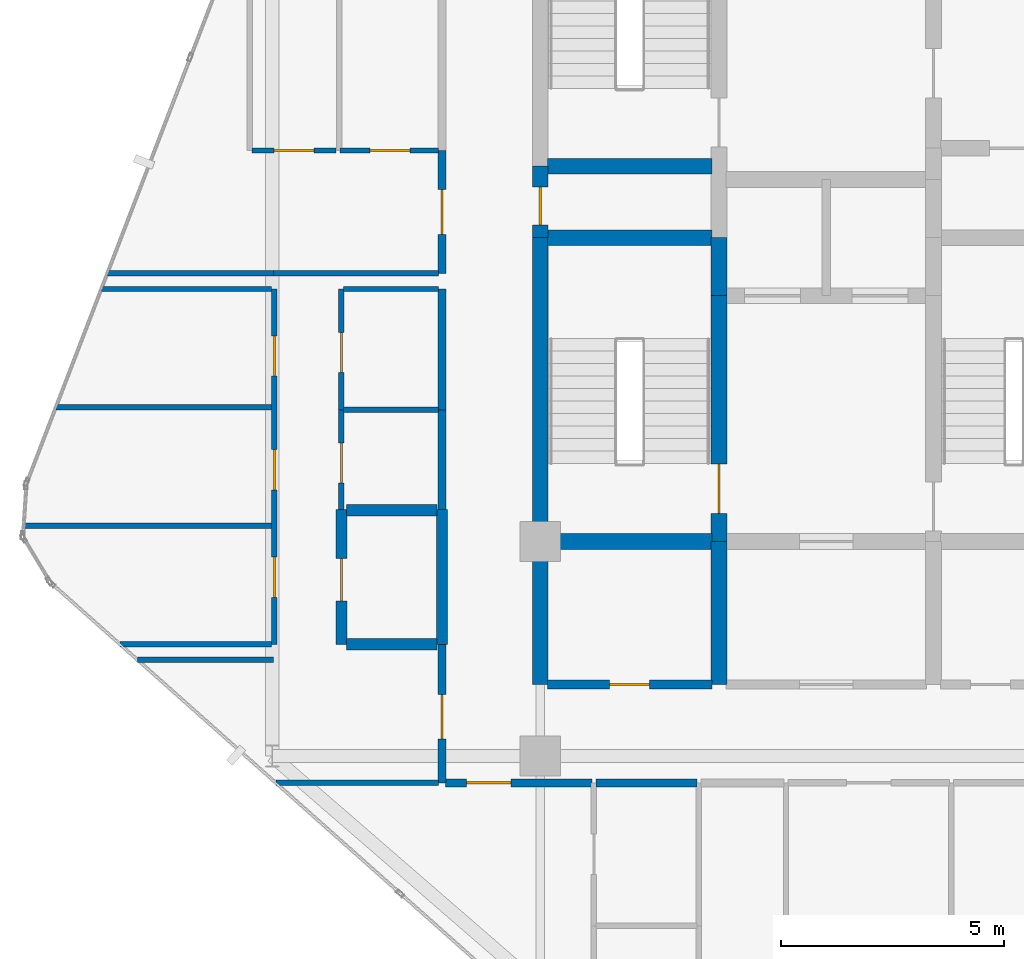
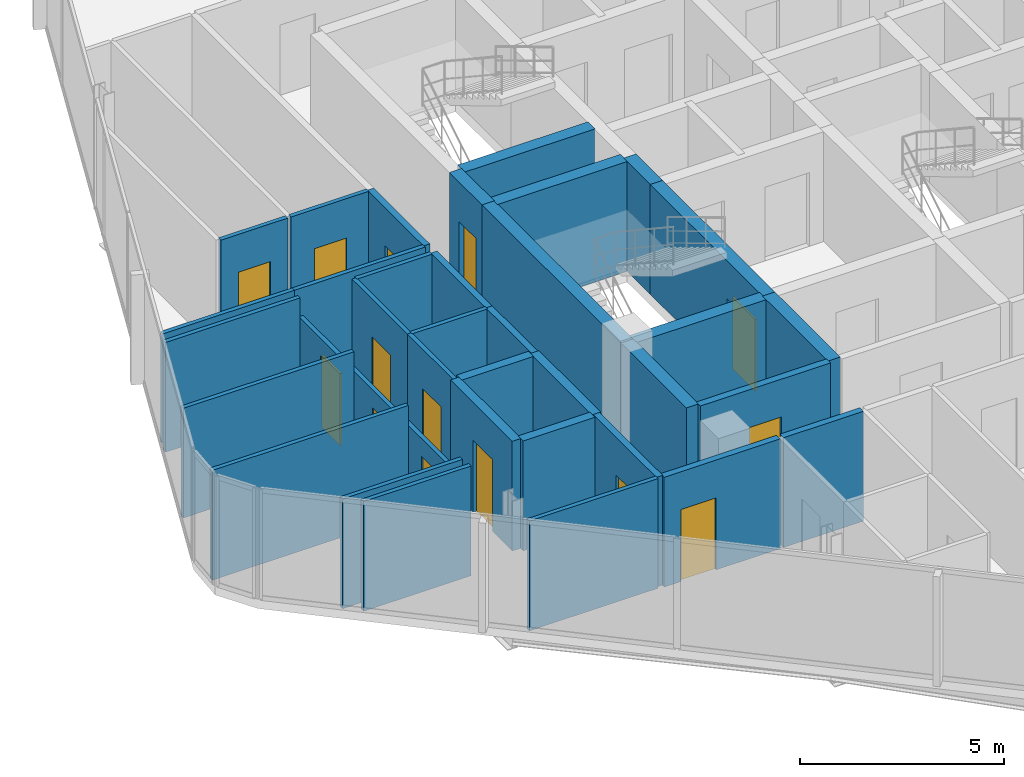
# One storey, part 25 of 31: 35 walls, 14 doors, 14 openings.
"""IFC4 building model written with IfcOpenShell, lengths in metres."""

from ifc_helpers import new_model, si_unit, direction, frame, frame_2d, origin, place, context, subcontext, project, spatial, rectangle, extrude, material, layer, layer_set, type_object, element, fill, save


model = new_model("IFC4")

# Units and contexts
model_context = context("Model", 3, precision=1e-05, world=origin(), true_north=direction((0.0, 1.0)))
body_context = subcontext(model_context, "Body", "Model", "MODEL_VIEW")
ifc_project = project(units=[si_unit("LENGTHUNIT", "METRE"), si_unit("AREAUNIT", "SQUARE_METRE"), si_unit("VOLUMEUNIT", "CUBIC_METRE"), si_unit("PLANEANGLEUNIT", "RADIAN"), si_unit("MASSUNIT", "GRAM", prefix="KILO")], contexts=[model_context])

# Site, building, storey
site_placement = place(None, origin())
site = spatial("IfcSite", under=ifc_project, at=site_placement, CompositionType="ELEMENT")
building_placement = place(site_placement, origin())
building = spatial("IfcBuilding", under=site, at=building_placement, Name="Keshet Zoharim Tower", CompositionType="ELEMENT")
storey_placement = place(building_placement, frame((0.0, 0.0, 155.699951171875)))
storey = spatial("IfcBuildingStorey", under=building, at=storey_placement, Name="L38", CompositionType="ELEMENT", Elevation=155.699951171875)

# Walls
ifc_material_1 = material(Name="Concrete C60/75", Category="concrete")
ifc_layer_1 = layer(ifc_material_1, 0.35009765625)
ifc_layer_set_1 = layer_set([ifc_layer_1], Name="Concrete C60/75")
wall_type_1 = type_object("IfcWallType", Name="WL-CORE-350", PredefinedType="SHEAR", material=ifc_layer_set_1)
wall_1_placement = place(storey_placement, frame((15.0, 19.5, 0.0), z_axis=(0.0, 0.0, 1.0), x_axis=(0.0, 1.0, 0.0)))
element("IfcWall", 1, at=wall_1_placement, inside=storey, type_object=wall_type_1, Name="L38 Core Shear Wall 013", PredefinedType="SHEAR", context=body_context, shape_type="SweptSolid", body=[
    extrude(rectangle(XDim=3.199951171875, YDim=0.35009765625, at=frame_2d((1.60009765625, 0.0))), origin(), (0.0, 0.0, 1.0), 3.280029296875),
])
wall_2_placement = place(storey_placement, frame((15.0, 22.699951171875, 0.0), z_axis=(0.0, 0.0, 1.0), x_axis=(0.0, 1.0, 0.0)))
element("IfcWall", 2, at=wall_2_placement, inside=storey, type_object=wall_type_1, Name="L38 Core Shear Wall 014", PredefinedType="SHEAR", context=body_context, shape_type="SweptSolid", body=[
    extrude(rectangle(XDim=6.800048828125, YDim=0.35009765625, at=frame_2d((3.39990234375, 0.0))), origin(), (0.0, 0.0, 1.0), 3.280029296875),
])

# Wall, opening, door
wall_3_placement = place(storey_placement, frame((15.0, 29.5, 0.0), z_axis=(0.0, 0.0, 1.0), x_axis=(0.0, 1.0, 0.0)))
wall_3 = element("IfcWall", 3, at=wall_3_placement, inside=storey, type_object=wall_type_1, Name="L38 Core Shear Wall 015", PredefinedType="SHEAR", context=body_context, shape_type="SweptSolid", body=[
    extrude(rectangle(XDim=1.60009765625, YDim=0.35009765625, at=frame_2d((0.800048828125, 0.0))), origin(), (0.0, 0.0, 1.0), 3.280029296875),
])
opening_1_placement = place(wall_3_placement, frame((0.287109375, 0.0, 0.0)))
opening_1 = element("IfcOpeningElement", 4, at=opening_1_placement, cuts=wall_3, Name="Opening D-RS85", PredefinedType="OPENING", context=body_context, shape_type="SweptSolid", body=[
    extrude(rectangle(XDim=0.85009765625, YDim=2.10009765625, at=frame_2d((0.425048828125, 1.050048828125))), frame((0.0, 0.18505859375, 0.0), z_axis=(0.0, -1.0, 0.0), x_axis=(1.0, 0.0, 0.0)), (0.0, 0.0, 1.0), 0.3701171875),
])
ifc_material_2 = material(Name="Hardwood Timber", Category="wood")
door_type_1 = type_object("IfcDoorType", Name="DR-RIS-085", OperationType="NOTDEFINED", PredefinedType="DOOR", material=ifc_material_2)
door_1_placement = place(opening_1_placement, origin())
door_1 = element("IfcDoor", 5, at=door_1_placement, inside=storey, type_object=door_type_1, Name="L38 Electrical Riser Access Cupboard Door", OperationType="SINGLE_SWING_RIGHT", OverallHeight=2.10009765625, OverallWidth=0.85009765625, PredefinedType="DOOR", context=body_context, shape_type="SweptSolid", body=[
    extrude(rectangle(XDim=0.85009765625, YDim=2.10009765625, at=frame_2d((0.425048828125, 1.050048828125))), frame((0.0, 0.02490234375, 0.0), z_axis=(0.0, -1.0, 0.0), x_axis=(1.0, 0.0, 0.0)), (0.0, 0.0, 1.0), 0.050048828125),
])
fill(opening_1, door_1)

# Wall
wall_4_placement = place(storey_placement, frame((19.0, 19.5, 0.0), z_axis=(0.0, 0.0, 1.0), x_axis=(0.0, 1.0, 0.0)))
element("IfcWall", 6, at=wall_4_placement, inside=storey, type_object=wall_type_1, Name="L38 Core Shear Wall 023", PredefinedType="SHEAR", context=body_context, shape_type="SweptSolid", body=[
    extrude(rectangle(XDim=3.199951171875, YDim=0.35009765625, at=frame_2d((1.60009765625, 0.0))), origin(), (0.0, 0.0, 1.0), 3.280029296875),
])

# Wall, opening, door
wall_5_placement = place(storey_placement, frame((19.0, 22.699951171875, 0.0), z_axis=(0.0, 0.0, 1.0), x_axis=(0.0, 1.0, 0.0)))
wall_5 = element("IfcWall", 7, at=wall_5_placement, inside=storey, type_object=wall_type_1, Name="L38 Core Shear Wall 024", PredefinedType="SHEAR", context=body_context, shape_type="SweptSolid", body=[
    extrude(rectangle(XDim=5.5, YDim=0.35009765625, at=frame_2d((2.75, 0.0))), origin(), (0.0, 0.0, 1.0), 3.280029296875),
])
opening_2_placement = place(wall_5_placement, frame((0.631103515625, 0.0, 0.0)))
opening_2 = element("IfcOpeningElement", 8, at=opening_2_placement, cuts=wall_5, Name="Opening D-F611", PredefinedType="OPENING", context=body_context, shape_type="SweptSolid", body=[
    extrude(rectangle(XDim=1.10009765625, YDim=2.14990234375, at=frame_2d((0.550048828125, 1.074951171875))), frame((0.0, 0.18505859375, 0.0), z_axis=(0.0, -1.0, 0.0), x_axis=(1.0, 0.0, 0.0)), (0.0, 0.0, 1.0), 0.3701171875),
])
door_type_2 = type_object("IfcDoorType", Name="DR-FD60-110", OperationType="NOTDEFINED", PredefinedType="DOOR", material=ifc_material_2)
door_2_placement = place(opening_2_placement, origin())
door_2 = element("IfcDoor", 9, at=door_2_placement, inside=storey, type_object=door_type_2, Name="L38 Exit Stair ST-01 Fire Door", OperationType="SINGLE_SWING_RIGHT", OverallHeight=2.14990234375, OverallWidth=1.10009765625, PredefinedType="DOOR", context=body_context, shape_type="SweptSolid", body=[
    extrude(rectangle(XDim=1.10009765625, YDim=2.14990234375, at=frame_2d((0.550048828125, 1.074951171875))), frame((0.0, 0.02490234375, 0.0), z_axis=(0.0, -1.0, 0.0), x_axis=(1.0, 0.0, 0.0)), (0.0, 0.0, 1.0), 0.050048828125),
])
fill(opening_2, door_2)

# Walls
wall_6_placement = place(storey_placement, frame((19.0, 28.199951171875, 0.0), z_axis=(0.0, 0.0, 1.0), x_axis=(0.0, 1.0, 0.0)))
element("IfcWall", 10, at=wall_6_placement, inside=storey, type_object=wall_type_1, Name="L38 Core Shear Wall 025", PredefinedType="SHEAR", context=body_context, shape_type="SweptSolid", body=[
    extrude(rectangle(XDim=1.300048828125, YDim=0.35009765625, at=frame_2d((0.64990234375, 0.0))), origin(), (0.0, 0.0, 1.0), 3.280029296875),
])
for number, where, z_axis, x_axis, name in (
    (11, (15.159912109375, 22.699951171875, 0.0), (0.0, 0.0, 1.0), (1.0, 0.0, 0.0), "L38 Core Shear Wall 144"),
    (12, (15.159912109375, 29.5, 0.0), (0.0, 0.0, 1.0), (1.0, 0.0, 0.0), "L38 Core Shear Wall 164"),
    (13, (15.159912109375, 31.10009765625, 0.0), (0.0, 0.0, 1.0), (1.0, 0.0, 0.0), "L38 Core Shear Wall 170"),
):
    element("IfcWall", number, at=place(storey_placement, frame(where, z_axis=z_axis, x_axis=x_axis)), inside=storey, type_object=wall_type_1, Name=name, PredefinedType="SHEAR", context=body_context, shape_type="SweptSolid", body=[
        extrude(rectangle(XDim=3.68017578125, YDim=0.35009765625, at=frame_2d((1.840087890625, 0.0))), origin(), (0.0, 0.0, 1.0), 3.280029296875),
    ])

# Wall, opening, door
ifc_material_3 = material(Name="Gypsum Plasterboard", Category="gypsum")
ifc_layer_2 = layer(ifc_material_3, 0.179931640625)
ifc_layer_set_2 = layer_set([ifc_layer_2], Name="Gypsum Plasterboard")
wall_type_2 = type_object("IfcWallType", Name="WL-CORR-180", PredefinedType="STANDARD", material=ifc_layer_set_2)
wall_7_placement = place(storey_placement, frame((12.800048828125, 17.300048828125, 0.0), z_axis=(0.0, 0.0, 1.0), x_axis=(0.0, 1.0, 0.0)))
wall_7 = element("IfcWall", 14, at=wall_7_placement, inside=storey, type_object=wall_type_2, Name="L38 Interior Wall 007", PredefinedType="STANDARD", context=body_context, shape_type="SweptSolid", body=[
    extrude(rectangle(XDim=3.099853515625, YDim=0.179931640625, at=frame_2d((1.5498046875, 0.0))), origin(), (0.0, 0.0, 1.0), 3.280029296875),
])
opening_3_placement = place(wall_7_placement, frame((0.97802734375, 0.0, 0.0)))
opening_3 = element("IfcOpeningElement", 15, at=opening_3_placement, cuts=wall_7, Name="Opening D-F310", PredefinedType="OPENING", context=body_context, shape_type="SweptSolid", body=[
    extrude(rectangle(XDim=1.0, YDim=2.14990234375, at=frame_2d((0.5, 1.074951171875))), frame((0.0, 0.10009765625, 0.0), z_axis=(0.0, -1.0, 0.0), x_axis=(1.0, 0.0, 0.0)), (0.0, 0.0, 1.0), 0.199951171875),
])
door_type_3 = type_object("IfcDoorType", Name="DR-FD30-100", OperationType="NOTDEFINED", PredefinedType="DOOR", material=ifc_material_2)
door_3_placement = place(opening_3_placement, origin())
door_3 = element("IfcDoor", 16, at=door_3_placement, inside=storey, type_object=door_type_3, Name="Apartment 3808 Entrance Door", OperationType="SINGLE_SWING_RIGHT", OverallHeight=2.14990234375, OverallWidth=1.0, PredefinedType="DOOR", context=body_context, shape_type="SweptSolid", body=[
    extrude(rectangle(XDim=1.0, YDim=2.14990234375, at=frame_2d((0.5, 1.074951171875))), frame((0.0, 0.02490234375, 0.0), z_axis=(0.0, -1.0, 0.0), x_axis=(1.0, 0.0, 0.0)), (0.0, 0.0, 1.0), 0.050048828125),
])
fill(opening_3, door_3)

# Walls
wall_8_placement = place(storey_placement, frame((12.800048828125, 23.4208984375, 0.0), z_axis=(0.0, 0.0, 1.0), x_axis=(0.0, 1.0, 0.0)))
element("IfcWall", 17, at=wall_8_placement, inside=storey, type_object=wall_type_2, Name="L38 Interior Wall 009", PredefinedType="STANDARD", context=body_context, shape_type="SweptSolid", body=[
    extrude(rectangle(XDim=2.22607421875, YDim=0.179931640625, at=frame_2d((1.113037109375, 0.0))), origin(), (0.0, 0.0, 1.0), 3.280029296875),
])
wall_9_placement = place(storey_placement, frame((12.800048828125, 25.64697265625, 0.0), z_axis=(0.0, 0.0, 1.0), x_axis=(0.0, 1.0, 0.0)))
element("IfcWall", 18, at=wall_9_placement, inside=storey, type_object=wall_type_2, Name="L38 Interior Wall 010", PredefinedType="STANDARD", context=body_context, shape_type="SweptSolid", body=[
    extrude(rectangle(XDim=2.703125, YDim=0.179931640625, at=frame_2d((1.3515625, 0.0))), origin(), (0.0, 0.0, 1.0), 3.280029296875),
])

# Wall, opening, door
wall_10_placement = place(storey_placement, frame((12.800048828125, 28.699951171875, 0.0), z_axis=(0.0, 0.0, 1.0), x_axis=(0.0, 1.0, 0.0)))
wall_10 = element("IfcWall", 19, at=wall_10_placement, inside=storey, type_object=wall_type_2, Name="L38 Interior Wall 011", PredefinedType="STANDARD", context=body_context, shape_type="SweptSolid", body=[
    extrude(rectangle(XDim=2.75, YDim=0.179931640625, at=frame_2d((1.375, 0.0))), origin(), (0.0, 0.0, 1.0), 3.280029296875),
])
opening_4_placement = place(wall_10_placement, frame((0.875, 0.0, 0.0)))
opening_4 = element("IfcOpeningElement", 20, at=opening_4_placement, cuts=wall_10, Name="Opening D-F310", PredefinedType="OPENING", context=body_context, shape_type="SweptSolid", body=[
    extrude(rectangle(XDim=1.0, YDim=2.14990234375, at=frame_2d((0.5, 1.074951171875))), frame((0.0, 0.10009765625, 0.0), z_axis=(0.0, -1.0, 0.0), x_axis=(1.0, 0.0, 0.0)), (0.0, 0.0, 1.0), 0.199951171875),
])
door_4_placement = place(opening_4_placement, origin())
door_4 = element("IfcDoor", 21, at=door_4_placement, inside=storey, type_object=door_type_3, Name="Apartment 3809 Entrance Door", OperationType="SINGLE_SWING_LEFT", OverallHeight=2.14990234375, OverallWidth=1.0, PredefinedType="DOOR", context=body_context, shape_type="SweptSolid", body=[
    extrude(rectangle(XDim=1.0, YDim=2.14990234375, at=frame_2d((0.5, 1.074951171875))), frame((0.0, 0.02490234375, 0.0), z_axis=(0.0, -1.0, 0.0), x_axis=(1.0, 0.0, 0.0)), (0.0, 0.0, 1.0), 0.050048828125),
])
fill(opening_4, door_4)

wall_11_placement = place(storey_placement, frame((12.875, 17.300048828125, 0.0), z_axis=(0.0, 0.0, 1.0), x_axis=(1.0, 0.0, 0.0)))
wall_11 = element("IfcWall", 22, at=wall_11_placement, inside=storey, type_object=wall_type_2, Name="L38 Interior Wall 123", PredefinedType="STANDARD", context=body_context, shape_type="SweptSolid", body=[
    extrude(rectangle(XDim=3.280029296875, YDim=0.179931640625, at=frame_2d((1.64013671875, 0.0))), origin(), (0.0, 0.0, 1.0), 3.280029296875),
])
opening_5_placement = place(wall_11_placement, frame((0.470947265625, 0.0, 0.0)))
opening_5 = element("IfcOpeningElement", 23, at=opening_5_placement, cuts=wall_11, Name="Opening D-F310", PredefinedType="OPENING", context=body_context, shape_type="SweptSolid", body=[
    extrude(rectangle(XDim=1.0, YDim=2.14990234375, at=frame_2d((0.5, 1.074951171875))), frame((0.0, 0.10009765625, 0.0), z_axis=(0.0, -1.0, 0.0), x_axis=(1.0, 0.0, 0.0)), (0.0, 0.0, 1.0), 0.199951171875),
])
door_5_placement = place(opening_5_placement, origin())
door_5 = element("IfcDoor", 24, at=door_5_placement, inside=storey, type_object=door_type_3, Name="Apartment 3801 Entrance Door", OperationType="SINGLE_SWING_LEFT", OverallHeight=2.14990234375, OverallWidth=1.0, PredefinedType="DOOR", context=body_context, shape_type="SweptSolid", body=[
    extrude(rectangle(XDim=1.0, YDim=2.14990234375, at=frame_2d((0.5, 1.074951171875))), frame((0.0, 0.02490234375, 0.0), z_axis=(0.0, -1.0, 0.0), x_axis=(1.0, 0.0, 0.0)), (0.0, 0.0, 1.0), 0.050048828125),
])
fill(opening_5, door_5)

# Wall
wall_12_placement = place(storey_placement, frame((16.2451171875, 17.300048828125, 0.0), z_axis=(0.0, 0.0, 1.0), x_axis=(1.0, 0.0, 0.0)))
element("IfcWall", 25, at=wall_12_placement, inside=storey, type_object=wall_type_2, Name="L38 Interior Wall 124", PredefinedType="STANDARD", context=body_context, shape_type="SweptSolid", body=[
    extrude(rectangle(XDim=2.259765625, YDim=0.179931640625, at=frame_2d((1.1298828125, 0.0))), origin(), (0.0, 0.0, 1.0), 3.280029296875),
])

# Wall, opening, door
ifc_material_4 = material(Name="Concrete C50/60", Category="concrete")
ifc_layer_3 = layer(ifc_material_4, 0.199951171875)
ifc_layer_set_3 = layer_set([ifc_layer_3], Name="Concrete C50/60")
wall_type_3 = type_object("IfcWallType", Name="WL-FIRE-200", PredefinedType="STANDARD", material=ifc_layer_set_3)
wall_13_placement = place(storey_placement, frame((15.159912109375, 19.5, 0.0), z_axis=(0.0, 0.0, 1.0), x_axis=(1.0, 0.0, 0.0)))
wall_13 = element("IfcWall", 26, at=wall_13_placement, inside=storey, type_object=wall_type_3, Name="L38 Interior Wall 136", PredefinedType="STANDARD", context=body_context, shape_type="SweptSolid", body=[
    extrude(rectangle(XDim=3.68017578125, YDim=0.199951171875, at=frame_2d((1.840087890625, 0.0))), origin(), (0.0, 0.0, 1.0), 3.280029296875),
])
opening_6_placement = place(wall_13_placement, frame((1.389892578125, 0.0, 0.0)))
opening_6 = element("IfcOpeningElement", 27, at=opening_6_placement, cuts=wall_13, Name="Opening D-F690", PredefinedType="OPENING", context=body_context, shape_type="SweptSolid", body=[
    extrude(rectangle(XDim=0.89990234375, YDim=2.14990234375, at=frame_2d((0.449951171875, 1.074951171875))), frame((0.0, 0.10986328125, 0.0), z_axis=(0.0, -1.0, 0.0), x_axis=(1.0, 0.0, 0.0)), (0.0, 0.0, 1.0), 0.219970703125),
])
door_type_4 = type_object("IfcDoorType", Name="DR-FD60-090", OperationType="NOTDEFINED", PredefinedType="DOOR", material=ifc_material_2)
door_6_placement = place(opening_6_placement, origin())
door_6 = element("IfcDoor", 28, at=door_6_placement, inside=storey, type_object=door_type_4, Name="L38 Pram Store Door", OperationType="SINGLE_SWING_LEFT", OverallHeight=2.14990234375, OverallWidth=0.89990234375, PredefinedType="DOOR", context=body_context, shape_type="SweptSolid", body=[
    extrude(rectangle(XDim=0.89990234375, YDim=2.14990234375, at=frame_2d((0.449951171875, 1.074951171875))), frame((0.0, 0.02490234375, 0.0), z_axis=(0.0, -1.0, 0.0), x_axis=(1.0, 0.0, 0.0)), (0.0, 0.0, 1.0), 0.050048828125),
])
fill(opening_6, door_6)

ifc_layer_4 = layer(ifc_material_4, 0.25)
ifc_layer_set_4 = layer_set([ifc_layer_4], Name="Concrete C50/60")
wall_type_4 = type_object("IfcWallType", Name="WL-MAMAD-250", PredefinedType="STANDARD", material=ifc_layer_set_4)
wall_14_placement = place(storey_placement, frame((10.550048828125, 20.39990234375, 0.0), z_axis=(0.0, 0.0, 1.0), x_axis=(0.0, 1.0, 0.0)))
wall_14 = element("IfcWall", 29, at=wall_14_placement, inside=storey, type_object=wall_type_4, Name="L38 Interior Wall 004", PredefinedType="STANDARD", context=body_context, shape_type="SweptSolid", body=[
    extrude(rectangle(XDim=3.02099609375, YDim=0.25, at=frame_2d((1.510498046875, 0.0))), origin(), (0.0, 0.0, 1.0), 3.280029296875),
])
opening_7_placement = place(wall_14_placement, frame((0.964111328125, 0.0, 0.0)))
opening_7 = element("IfcOpeningElement", 30, at=opening_7_placement, cuts=wall_14, Name="Opening D-F695", PredefinedType="OPENING", context=body_context, shape_type="SweptSolid", body=[
    extrude(rectangle(XDim=0.949951171875, YDim=2.14990234375, at=frame_2d((0.47509765625, 1.074951171875))), frame((0.0, 0.135009765625, 0.0), z_axis=(0.0, -1.0, 0.0), x_axis=(1.0, 0.0, 0.0)), (0.0, 0.0, 1.0), 0.27001953125),
])
door_type_5 = type_object("IfcDoorType", Name="DR-FD60-095", OperationType="NOTDEFINED", PredefinedType="DOOR", material=ifc_material_2)
door_7_placement = place(opening_7_placement, origin())
door_7 = element("IfcDoor", 31, at=door_7_placement, inside=storey, type_object=door_type_5, Name="Apartment 3808 Study and Shelter Room Door", OperationType="SINGLE_SWING_LEFT", OverallHeight=2.14990234375, OverallWidth=0.949951171875, PredefinedType="DOOR", context=body_context, shape_type="SweptSolid", body=[
    extrude(rectangle(XDim=0.949951171875, YDim=2.14990234375, at=frame_2d((0.47509765625, 1.074951171875))), frame((0.0, 0.02490234375, 0.0), z_axis=(0.0, -1.0, 0.0), x_axis=(1.0, 0.0, 0.0)), (0.0, 0.0, 1.0), 0.050048828125),
])
fill(opening_7, door_7)

# Walls
wall_15_placement = place(storey_placement, frame((12.800048828125, 20.39990234375, 0.0), z_axis=(0.0, 0.0, 1.0), x_axis=(0.0, 1.0, 0.0)))
element("IfcWall", 32, at=wall_15_placement, inside=storey, type_object=wall_type_4, Name="L38 Interior Wall 008", PredefinedType="STANDARD", context=body_context, shape_type="SweptSolid", body=[
    extrude(rectangle(XDim=3.02099609375, YDim=0.25, at=frame_2d((1.510498046875, 0.0))), origin(), (0.0, 0.0, 1.0), 3.280029296875),
])
for number, where, z_axis, x_axis, name in (
    (33, (10.659912109375, 20.39990234375, 0.0), (0.0, 0.0, 1.0), (1.0, 0.0, 0.0), "L38 Interior Wall 143"),
    (34, (10.659912109375, 23.39990234375, 0.0), (0.0, 0.0, 1.0), (1.0, 0.0, 0.0), "L38 Interior Wall 150"),
):
    element("IfcWall", number, at=place(storey_placement, frame(where, z_axis=z_axis, x_axis=x_axis)), inside=storey, type_object=wall_type_4, Name=name, PredefinedType="STANDARD", context=body_context, shape_type="SweptSolid", body=[
        extrude(rectangle(XDim=2.030029296875, YDim=0.25, at=frame_2d((1.01513671875, 0.0))), origin(), (0.0, 0.0, 1.0), 3.280029296875),
    ])

# Wall, openings, doors
ifc_layer_5 = layer(ifc_material_3, 0.1201171875)
ifc_layer_set_5 = layer_set([ifc_layer_5], Name="Gypsum Plasterboard")
wall_type_5 = type_object("IfcWallType", Name="WL-PART-120", PredefinedType="PARTITIONING", material=ifc_layer_set_5)
wall_16_placement = place(storey_placement, frame((9.050048828125, 20.39990234375, 0.0), z_axis=(0.0, 0.0, 1.0), x_axis=(0.0, 1.0, 0.0)))
wall_16 = element("IfcWall", 35, at=wall_16_placement, inside=storey, type_object=wall_type_5, Name="L38 Interior Wall 002", PredefinedType="PARTITIONING", context=body_context, shape_type="SweptSolid", body=[
    extrude(rectangle(XDim=7.9501953125, YDim=0.1201171875, at=frame_2d((3.97509765625, 0.0))), origin(), (0.0, 0.0, 1.0), 2.679931640625),
])
opening_8_placement = place(wall_16_placement, frame((1.050048828125, 0.0, 0.0)))
opening_8 = element("IfcOpeningElement", 36, at=opening_8_placement, cuts=wall_16, Name="Opening D-IN90", PredefinedType="OPENING", context=body_context, shape_type="SweptSolid", body=[
    extrude(rectangle(XDim=0.89990234375, YDim=2.14990234375, at=frame_2d((0.449951171875, 1.074951171875))), frame((0.0, 0.070068359375, 0.0), z_axis=(0.0, -1.0, 0.0), x_axis=(1.0, 0.0, 0.0)), (0.0, 0.0, 1.0), 0.14013671875),
])
opening_9_placement = place(wall_16_placement, frame((3.455078125, 0.0, 0.0)))
opening_9 = element("IfcOpeningElement", 37, at=opening_9_placement, cuts=wall_16, Name="Opening D-IN90", PredefinedType="OPENING", context=body_context, shape_type="SweptSolid", body=[
    extrude(rectangle(XDim=0.89990234375, YDim=2.14990234375, at=frame_2d((0.449951171875, 1.074951171875))), frame((0.0, 0.070068359375, 0.0), z_axis=(0.0, -1.0, 0.0), x_axis=(1.0, 0.0, 0.0)), (0.0, 0.0, 1.0), 0.14013671875),
])
opening_10_placement = place(wall_16_placement, frame((6.0, 0.0, 0.0)))
opening_10 = element("IfcOpeningElement", 38, at=opening_10_placement, cuts=wall_16, Name="Opening D-IN90", PredefinedType="OPENING", context=body_context, shape_type="SweptSolid", body=[
    extrude(rectangle(XDim=0.89990234375, YDim=2.14990234375, at=frame_2d((0.449951171875, 1.074951171875))), frame((0.0, 0.070068359375, 0.0), z_axis=(0.0, -1.0, 0.0), x_axis=(1.0, 0.0, 0.0)), (0.0, 0.0, 1.0), 0.14013671875),
])
door_type_6 = type_object("IfcDoorType", Name="DR-INT-090", OperationType="NOTDEFINED", PredefinedType="DOOR", material=ifc_material_2)
door_8_placement = place(opening_8_placement, origin())
door_8 = element("IfcDoor", 39, at=door_8_placement, inside=storey, type_object=door_type_6, Name="Apartment 3808 Bedroom 1 Door", OperationType="SINGLE_SWING_RIGHT", OverallHeight=2.14990234375, OverallWidth=0.89990234375, PredefinedType="DOOR", context=body_context, shape_type="SweptSolid", body=[
    extrude(rectangle(XDim=0.89990234375, YDim=2.14990234375, at=frame_2d((0.449951171875, 1.074951171875))), frame((0.0, 0.02490234375, 0.0), z_axis=(0.0, -1.0, 0.0), x_axis=(1.0, 0.0, 0.0)), (0.0, 0.0, 1.0), 0.050048828125),
])
fill(opening_8, door_8)
door_9_placement = place(opening_9_placement, origin())
door_9 = element("IfcDoor", 40, at=door_9_placement, inside=storey, type_object=door_type_6, Name="Apartment 3808 Bedroom 2 Door", OperationType="SINGLE_SWING_LEFT", OverallHeight=2.14990234375, OverallWidth=0.89990234375, PredefinedType="DOOR", context=body_context, shape_type="SweptSolid", body=[
    extrude(rectangle(XDim=0.89990234375, YDim=2.14990234375, at=frame_2d((0.449951171875, 1.074951171875))), frame((0.0, 0.02490234375, 0.0), z_axis=(0.0, -1.0, 0.0), x_axis=(1.0, 0.0, 0.0)), (0.0, 0.0, 1.0), 0.050048828125),
])
fill(opening_9, door_9)
door_10_placement = place(opening_10_placement, origin())
door_10 = element("IfcDoor", 41, at=door_10_placement, inside=storey, type_object=door_type_6, Name="Apartment 3808 Bedroom 3 Door", OperationType="SINGLE_SWING_RIGHT", OverallHeight=2.14990234375, OverallWidth=0.89990234375, PredefinedType="DOOR", context=body_context, shape_type="SweptSolid", body=[
    extrude(rectangle(XDim=0.89990234375, YDim=2.14990234375, at=frame_2d((0.449951171875, 1.074951171875))), frame((0.0, 0.02490234375, 0.0), z_axis=(0.0, -1.0, 0.0), x_axis=(1.0, 0.0, 0.0)), (0.0, 0.0, 1.0), 0.050048828125),
])
fill(opening_10, door_10)

# Wall, opening, door
wall_17_placement = place(storey_placement, frame((10.550048828125, 25.64697265625, 0.0), z_axis=(0.0, 0.0, 1.0), x_axis=(0.0, 1.0, 0.0)))
wall_17 = element("IfcWall", 42, at=wall_17_placement, inside=storey, type_object=wall_type_5, Name="L38 Interior Wall 006", PredefinedType="PARTITIONING", context=body_context, shape_type="SweptSolid", body=[
    extrude(rectangle(XDim=2.703125, YDim=0.1201171875, at=frame_2d((1.3515625, 0.0))), origin(), (0.0, 0.0, 1.0), 3.280029296875),
])
opening_11_placement = place(wall_17_placement, frame((0.830078125, 0.0, 0.0)))
opening_11 = element("IfcOpeningElement", 43, at=opening_11_placement, cuts=wall_17, Name="Opening D-IN90", PredefinedType="OPENING", context=body_context, shape_type="SweptSolid", body=[
    extrude(rectangle(XDim=0.89990234375, YDim=2.14990234375, at=frame_2d((0.449951171875, 1.074951171875))), frame((0.0, 0.070068359375, 0.0), z_axis=(0.0, -1.0, 0.0), x_axis=(1.0, 0.0, 0.0)), (0.0, 0.0, 1.0), 0.14013671875),
])
door_11_placement = place(opening_11_placement, origin())
door_11 = element("IfcDoor", 44, at=door_11_placement, inside=storey, type_object=door_type_6, Name="Apartment 3808 Kitchen Door", OperationType="SINGLE_SWING_LEFT", OverallHeight=2.14990234375, OverallWidth=0.89990234375, PredefinedType="DOOR", context=body_context, shape_type="SweptSolid", body=[
    extrude(rectangle(XDim=0.89990234375, YDim=2.14990234375, at=frame_2d((0.449951171875, 1.074951171875))), frame((0.0, 0.02490234375, 0.0), z_axis=(0.0, -1.0, 0.0), x_axis=(1.0, 0.0, 0.0)), (0.0, 0.0, 1.0), 0.050048828125),
])
fill(opening_11, door_11)

# Walls
wall_18_placement = place(storey_placement, frame((9.0849609375, 17.300048828125, 0.0), z_axis=(0.0, 0.0, 1.0), x_axis=(1.0, 0.0, 0.0)))
element("IfcWall", 45, at=wall_18_placement, inside=storey, type_object=wall_type_5, Name="L38 Interior Wall 122", PredefinedType="PARTITIONING", context=body_context, shape_type="SweptSolid", body=[
    extrude(rectangle(XDim=3.64013671875, YDim=0.1201171875, at=frame_2d((1.820068359375, 0.0))), origin(), (0.0, 0.0, 1.0), 3.280029296875),
])
wall_19_placement = place(storey_placement, frame((5.990966796875, 20.050048828125, 0.0), z_axis=(0.0, 0.0, 1.0), x_axis=(1.0, 0.0, 0.0)))
element("IfcWall", 46, at=wall_19_placement, inside=storey, type_object=wall_type_5, Name="L38 Interior Wall 141", PredefinedType="PARTITIONING", context=body_context, shape_type="SweptSolid", body=[
    extrude(rectangle(XDim=3.0390625, YDim=0.1201171875, at=frame_2d((1.51953125, 0.0))), origin(), (0.0, 0.0, 1.0), 3.280029296875),
])
wall_20_placement = place(storey_placement, frame((5.597900390625, 20.39990234375, 0.0), z_axis=(0.0, 0.0, 1.0), x_axis=(1.0, 0.0, 0.0)))
element("IfcWall", 47, at=wall_20_placement, inside=storey, type_object=wall_type_5, Name="L38 Interior Wall 142", PredefinedType="PARTITIONING", context=body_context, shape_type="SweptSolid", body=[
    extrude(rectangle(XDim=3.38720703125, YDim=0.1201171875, at=frame_2d((1.693603515625, 0.0))), origin(), (0.0, 0.0, 1.0), 3.280029296875),
])
wall_21_placement = place(storey_placement, frame((3.446044921875, 23.050048828125, 0.0), z_axis=(0.0, 0.0, 1.0), x_axis=(1.0, 0.0, 0.0)))
element("IfcWall", 48, at=wall_21_placement, inside=storey, type_object=wall_type_5, Name="L38 Interior Wall 149", PredefinedType="PARTITIONING", context=body_context, shape_type="SweptSolid", body=[
    extrude(rectangle(XDim=5.5390625, YDim=0.1201171875, at=frame_2d((2.76953125, 0.0))), origin(), (0.0, 0.0, 1.0), 3.280029296875),
])
wall_22_placement = place(storey_placement, frame((4.1640625, 25.699951171875, 0.0), z_axis=(0.0, 0.0, 1.0), x_axis=(1.0, 0.0, 0.0)))
element("IfcWall", 49, at=wall_22_placement, inside=storey, type_object=wall_type_5, Name="L38 Interior Wall 154", PredefinedType="PARTITIONING", context=body_context, shape_type="SweptSolid", body=[
    extrude(rectangle(XDim=4.821044921875, YDim=0.1201171875, at=frame_2d((2.41064453125, 0.0))), origin(), (0.0, 0.0, 1.0), 3.280029296875),
])
wall_23_placement = place(storey_placement, frame((5.18310546875, 28.35009765625, 0.0), z_axis=(0.0, 0.0, 1.0), x_axis=(1.0, 0.0, 0.0)))
element("IfcWall", 50, at=wall_23_placement, inside=storey, type_object=wall_type_5, Name="L38 Interior Wall 159", PredefinedType="PARTITIONING", context=body_context, shape_type="SweptSolid", body=[
    extrude(rectangle(XDim=3.802001953125, YDim=0.1201171875, at=frame_2d((1.90087890625, 0.0))), origin(), (0.0, 0.0, 1.0), 3.280029296875),
])
wall_24_placement = place(storey_placement, frame((10.594970703125, 28.35009765625, 0.0), z_axis=(0.0, 0.0, 1.0), x_axis=(1.0, 0.0, 0.0)))
element("IfcWall", 51, at=wall_24_placement, inside=storey, type_object=wall_type_5, Name="L38 Interior Wall 160", PredefinedType="PARTITIONING", context=body_context, shape_type="SweptSolid", body=[
    extrude(rectangle(XDim=2.130126953125, YDim=0.1201171875, at=frame_2d((1.06494140625, 0.0))), origin(), (0.0, 0.0, 1.0), 3.280029296875),
])
wall_25_placement = place(storey_placement, frame((5.31689453125, 28.699951171875, 0.0), z_axis=(0.0, 0.0, 1.0), x_axis=(1.0, 0.0, 0.0)))
element("IfcWall", 52, at=wall_25_placement, inside=storey, type_object=wall_type_5, Name="L38 Interior Wall 161", PredefinedType="PARTITIONING", context=body_context, shape_type="SweptSolid", body=[
    extrude(rectangle(XDim=3.713134765625, YDim=0.1201171875, at=frame_2d((1.8564453125, 0.0))), origin(), (0.0, 0.0, 1.0), 3.280029296875),
])
wall_26_placement = place(storey_placement, frame((9.030029296875, 28.699951171875, 0.0), z_axis=(0.0, 0.0, 1.0), x_axis=(1.0, 0.0, 0.0)))
element("IfcWall", 53, at=wall_26_placement, inside=storey, type_object=wall_type_5, Name="L38 Interior Wall 162", PredefinedType="PARTITIONING", context=body_context, shape_type="SweptSolid", body=[
    extrude(rectangle(XDim=3.695068359375, YDim=0.1201171875, at=frame_2d((1.84765625, 0.0))), origin(), (0.0, 0.0, 1.0), 3.280029296875),
])

# Wall, opening, door
wall_27_placement = place(storey_placement, frame((8.544921875, 31.449951171875, 0.0), z_axis=(0.0, 0.0, 1.0), x_axis=(1.0, 0.0, 0.0)))
wall_27 = element("IfcWall", 54, at=wall_27_placement, inside=storey, type_object=wall_type_5, Name="L38 Interior Wall 171", PredefinedType="PARTITIONING", context=body_context, shape_type="SweptSolid", body=[
    extrude(rectangle(XDim=1.88818359375, YDim=0.1201171875, at=frame_2d((0.944091796875, 0.0))), origin(), (0.0, 0.0, 1.0), 3.280029296875),
])
opening_12_placement = place(wall_27_placement, frame((0.493896484375, 0.0, 0.0)))
opening_12 = element("IfcOpeningElement", 55, at=opening_12_placement, cuts=wall_27, Name="Opening D-IN90", PredefinedType="OPENING", context=body_context, shape_type="SweptSolid", body=[
    extrude(rectangle(XDim=0.89990234375, YDim=2.14990234375, at=frame_2d((0.449951171875, 1.074951171875))), frame((0.0, 0.070068359375, 0.0), z_axis=(0.0, -1.0, 0.0), x_axis=(1.0, 0.0, 0.0)), (0.0, 0.0, 1.0), 0.14013671875),
])
door_12_placement = place(opening_12_placement, origin())
door_12 = element("IfcDoor", 56, at=door_12_placement, inside=storey, type_object=door_type_6, Name="Apartment 3809 Kitchen Door", OperationType="SINGLE_SWING_LEFT", OverallHeight=2.14990234375, OverallWidth=0.89990234375, PredefinedType="DOOR", context=body_context, shape_type="SweptSolid", body=[
    extrude(rectangle(XDim=0.89990234375, YDim=2.14990234375, at=frame_2d((0.449951171875, 1.074951171875))), frame((0.0, 0.02490234375, 0.0), z_axis=(0.0, -1.0, 0.0), x_axis=(1.0, 0.0, 0.0)), (0.0, 0.0, 1.0), 0.050048828125),
])
fill(opening_12, door_12)

ifc_layer_6 = layer(ifc_material_3, 0.1201171875)
ifc_layer_set_6 = layer_set([ifc_layer_6], Name="Gypsum Plasterboard")
wall_type_6 = type_object("IfcWallType", Name="WL-WET-120", PredefinedType="PARTITIONING", material=ifc_layer_set_6)
wall_28_placement = place(storey_placement, frame((10.550048828125, 23.4208984375, 0.0), z_axis=(0.0, 0.0, 1.0), x_axis=(0.0, 1.0, 0.0)))
wall_28 = element("IfcWall", 57, at=wall_28_placement, inside=storey, type_object=wall_type_6, Name="L38 Interior Wall 005", PredefinedType="PARTITIONING", context=body_context, shape_type="SweptSolid", body=[
    extrude(rectangle(XDim=2.22607421875, YDim=0.1201171875, at=frame_2d((1.113037109375, 0.0))), origin(), (0.0, 0.0, 1.0), 3.280029296875),
])
opening_13_placement = place(wall_28_placement, frame((0.583984375, 0.0, 0.0)))
opening_13 = element("IfcOpeningElement", 58, at=opening_13_placement, cuts=wall_28, Name="Opening D-WT90", PredefinedType="OPENING", context=body_context, shape_type="SweptSolid", body=[
    extrude(rectangle(XDim=0.89990234375, YDim=2.10009765625, at=frame_2d((0.449951171875, 1.050048828125))), frame((0.0, 0.070068359375, 0.0), z_axis=(0.0, -1.0, 0.0), x_axis=(1.0, 0.0, 0.0)), (0.0, 0.0, 1.0), 0.14013671875),
])
door_type_7 = type_object("IfcDoorType", Name="DR-WET-090", OperationType="NOTDEFINED", PredefinedType="DOOR", material=ifc_material_2)
door_13_placement = place(opening_13_placement, origin())
door_13 = element("IfcDoor", 59, at=door_13_placement, inside=storey, type_object=door_type_7, Name="Apartment 3808 Bathroom Door", OperationType="SINGLE_SWING_RIGHT", OverallHeight=2.10009765625, OverallWidth=0.89990234375, PredefinedType="DOOR", context=body_context, shape_type="SweptSolid", body=[
    extrude(rectangle(XDim=0.89990234375, YDim=2.10009765625, at=frame_2d((0.449951171875, 1.050048828125))), frame((0.0, 0.02490234375, 0.0), z_axis=(0.0, -1.0, 0.0), x_axis=(1.0, 0.0, 0.0)), (0.0, 0.0, 1.0), 0.050048828125),
])
fill(opening_13, door_13)

# Wall
wall_29_placement = place(storey_placement, frame((10.594970703125, 25.64990234375, 0.0), z_axis=(0.0, 0.0, 1.0), x_axis=(1.0, 0.0, 0.0)))
element("IfcWall", 60, at=wall_29_placement, inside=storey, type_object=wall_type_6, Name="L38 Interior Wall 153", PredefinedType="PARTITIONING", context=body_context, shape_type="SweptSolid", body=[
    extrude(rectangle(XDim=2.130126953125, YDim=0.1201171875, at=frame_2d((1.06494140625, 0.0))), origin(), (0.0, 0.0, 1.0), 3.280029296875),
])

# Wall, opening, door
wall_30_placement = place(storey_placement, frame((10.52294921875, 31.449951171875, 0.0), z_axis=(0.0, 0.0, 1.0), x_axis=(1.0, 0.0, 0.0)))
wall_30 = element("IfcWall", 61, at=wall_30_placement, inside=storey, type_object=wall_type_6, Name="L38 Interior Wall 172", PredefinedType="PARTITIONING", context=body_context, shape_type="SweptSolid", body=[
    extrude(rectangle(XDim=2.2021484375, YDim=0.1201171875, at=frame_2d((1.10107421875, 0.0))), origin(), (0.0, 0.0, 1.0), 3.280029296875),
])
opening_14_placement = place(wall_30_placement, frame((0.666015625, 0.0, 0.0)))
opening_14 = element("IfcOpeningElement", 62, at=opening_14_placement, cuts=wall_30, Name="Opening D-WT90", PredefinedType="OPENING", context=body_context, shape_type="SweptSolid", body=[
    extrude(rectangle(XDim=0.89990234375, YDim=2.10009765625, at=frame_2d((0.449951171875, 1.050048828125))), frame((0.0, 0.070068359375, 0.0), z_axis=(0.0, -1.0, 0.0), x_axis=(1.0, 0.0, 0.0)), (0.0, 0.0, 1.0), 0.14013671875),
])
door_14_placement = place(opening_14_placement, origin())
door_14 = element("IfcDoor", 63, at=door_14_placement, inside=storey, type_object=door_type_7, Name="Apartment 3809 Bathroom Door", OperationType="SINGLE_SWING_RIGHT", OverallHeight=2.10009765625, OverallWidth=0.89990234375, PredefinedType="DOOR", context=body_context, shape_type="SweptSolid", body=[
    extrude(rectangle(XDim=0.89990234375, YDim=2.10009765625, at=frame_2d((0.449951171875, 1.050048828125))), frame((0.0, 0.02490234375, 0.0), z_axis=(0.0, -1.0, 0.0), x_axis=(1.0, 0.0, 0.0)), (0.0, 0.0, 1.0), 0.050048828125),
])
fill(opening_14, door_14)

save(model, "model.ifc")
